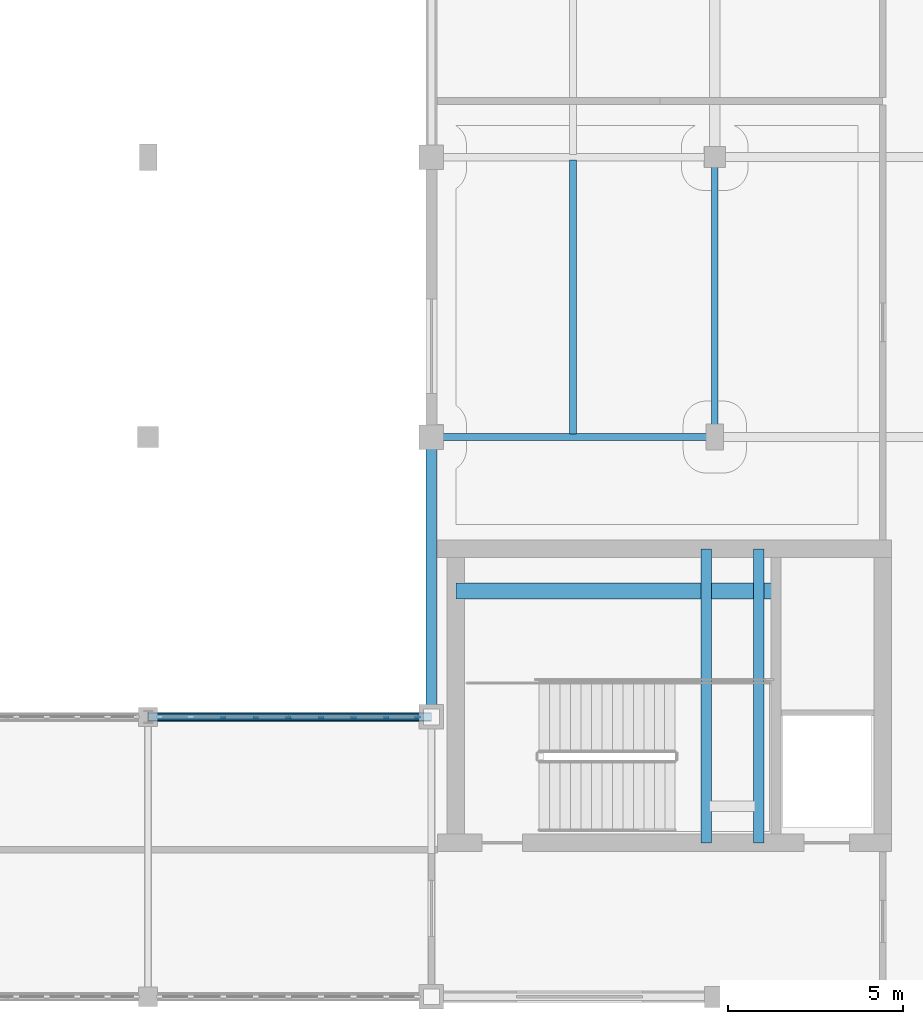
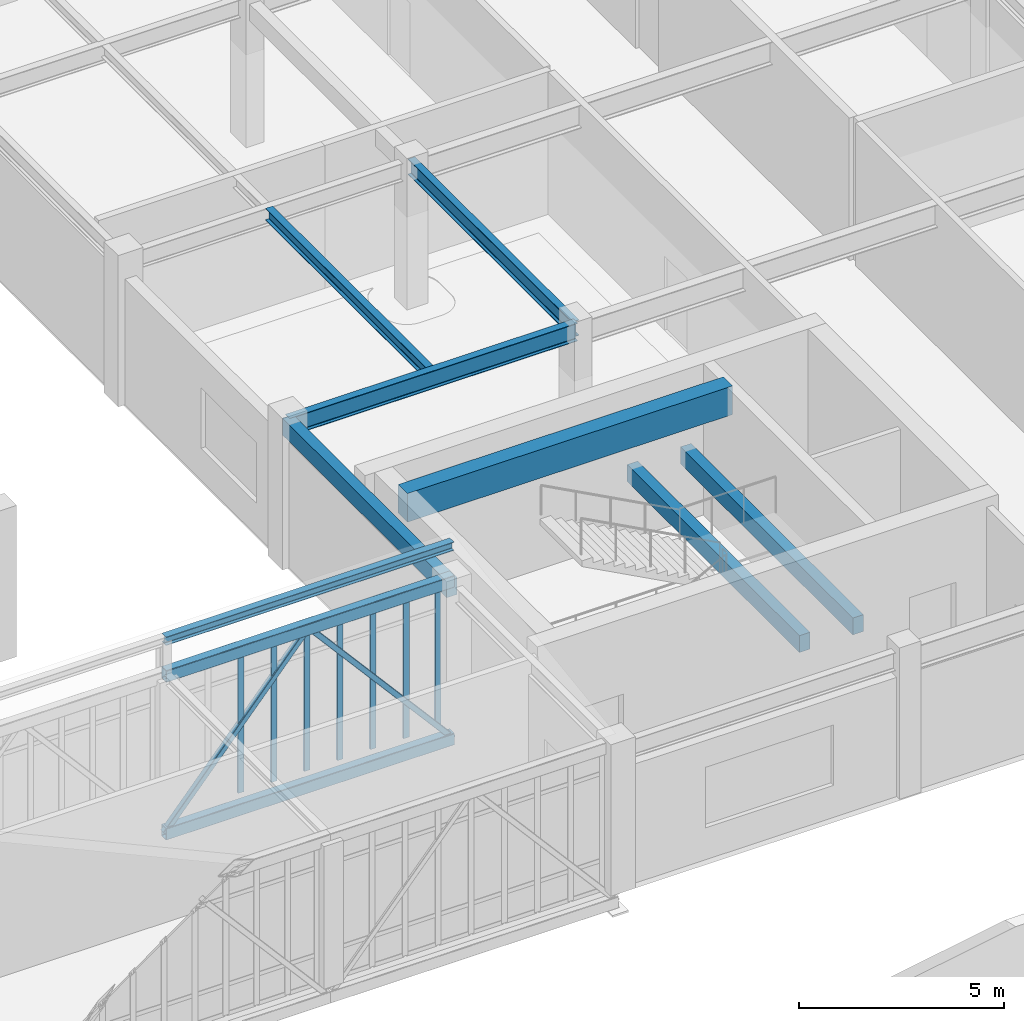
# One storey, part 16 of 67: 11 members, 8 beams, 1 element without a shape of its own.
"""IFC4 building model written with IfcOpenShell, lengths in metres."""

from ifc_helpers import new_model, si_unit, direction, frame, origin, origin_2d, place, context, subcontext, project, spatial, rectangle, hollow_rectangle, i_section, extrude, material, material_profile, profile_set, type_object, element, aggregate, save


model = new_model("IFC4")

# Units and contexts
model_context = context("Model", 3, precision=1e-05, world=origin(), true_north=direction((0.0, 1.0)))
body_context = subcontext(model_context, "Body", "Model", "MODEL_VIEW")
ifc_project = project(units=[si_unit("LENGTHUNIT", "METRE"), si_unit("AREAUNIT", "SQUARE_METRE"), si_unit("VOLUMEUNIT", "CUBIC_METRE"), si_unit("PLANEANGLEUNIT", "RADIAN"), si_unit("MASSUNIT", "GRAM", prefix="KILO")], contexts=[model_context])

# Site, building, storey
site_placement = place(None, origin())
site = spatial("IfcSite", under=ifc_project, at=site_placement, CompositionType="ELEMENT")
building_placement = place(site_placement, origin())
building = spatial("IfcBuilding", under=site, at=building_placement, Name="Tarnveldt Square Police Headquarters", CompositionType="ELEMENT")
storey_placement = place(building_placement, frame((0.0, 0.0, 10.199951171875)))
storey = spatial("IfcBuildingStorey", under=building, at=storey_placement, Name="L02", CompositionType="ELEMENT", Elevation=10.199951171875)

# Beams
ifc_material_1 = material(Name="Concrete 50 MPa", Category="concrete")
ifc_material_profile_1 = material_profile(ifc_material_1, rectangle(XDim=0.449951171875, YDim=0.85009765625, at=origin_2d()), Name="RC-CB450x850")
ifc_profile_set_1 = profile_set([ifc_material_profile_1], Name="Concrete 50 MPa")
beam_type_1 = type_object("IfcBeamType", Name="BM-CB450x850", PredefinedType="BEAM", material=ifc_profile_set_1)
beam_1_placement = place(storey_placement, frame((106.0, 67.60009765625, 4.074951171875), z_axis=(1.0, 0.0, 0.0), x_axis=(0.0, 1.0, 0.0)))
element("IfcBeam", 1, at=beam_1_placement, inside=storey, type_object=beam_type_1, Name="Core K4 East Custody and Tactical Core L02 Ductile Coupling Beam", PredefinedType="BEAM", context=body_context, shape_type="SweptSolid", body=[
    extrude(rectangle(XDim=0.449951171875, YDim=0.85009765625, at=origin_2d()), origin(), (0.0, 0.0, 1.0), 9.14990234375),
])
ifc_material_2 = material(Name="Concrete 40 MPa", Category="concrete")
ifc_material_profile_2 = material_profile(ifc_material_2, rectangle(XDim=0.300048828125, YDim=0.5, at=origin_2d()), Name="RC-B300x500")
ifc_profile_set_2 = profile_set([ifc_material_profile_2], Name="Concrete 40 MPa")
beam_type_2 = type_object("IfcBeamType", Name="BM-RC300x500", PredefinedType="BEAM", material=ifc_profile_set_2)
for number, where, z_axis, x_axis, name in (
    (2, (113.14990234375, 60.39990234375, 1.800048828125), (0.0, 1.0, 0.0), (-1.0, 0.0, 0.0), "ST4 L02 Half-Landing Support Beam 1"),
    (3, (114.64990234375, 60.39990234375, 1.800048828125), (0.0, 1.0, 0.0), (-1.0, 0.0, 0.0), "ST4 L02 Half-Landing Transverse Support Beam"),
):
    element("IfcBeam", number, at=place(storey_placement, frame(where, z_axis=z_axis, x_axis=x_axis)), inside=storey, type_object=beam_type_2, Name=name, PredefinedType="BEAM", context=body_context, shape_type="SweptSolid", body=[
        extrude(rectangle(XDim=0.300048828125, YDim=0.5, at=origin_2d()), origin(), (0.0, 0.0, 1.0), 8.400146484375),
    ])
beam_2_placement = place(storey_placement, frame((105.300048828125, 64.0, 3.989990234375), z_axis=(0.0, 1.0, 0.0), x_axis=(-1.0, 0.0, 0.0)))
element("IfcBeam", 4, at=beam_2_placement, inside=storey, type_object=beam_type_2, Name="L03 Grid Girder Y-0793", PredefinedType="BEAM", context=body_context, shape_type="SweptSolid", body=[
    extrude(rectangle(XDim=0.300048828125, YDim=0.5, at=origin_2d()), origin(), (0.0, 0.0, 1.0), 8.0),
])
ifc_material_3 = material(Name="Steel 350W", Category="steel")
ifc_material_profile_3 = material_profile(ifc_material_3, i_section(OverallWidth=0.202880859375, OverallDepth=0.251953125, WebThickness=0.008056640625, FlangeThickness=0.013427734375, FilletRadius=0.012939453125, at=origin_2d()), Name="W250x58")
ifc_profile_set_3 = profile_set([ifc_material_profile_3], Name="Steel 350W")
beam_type_3 = type_object("IfcBeamType", Name="BM-W250x58", PredefinedType="BEAM", material=ifc_profile_set_3)
beam_3_placement = place(storey_placement, frame((97.199951171875, 64.0, 5.2900390625), z_axis=(1.0, 0.0, 0.0), x_axis=(0.0, 1.0, 0.0)))
element("IfcBeam", 5, at=beam_3_placement, inside=storey, type_object=beam_type_3, Name="Skybridge SBS High Eave Beam 7", PredefinedType="BEAM", context=body_context, shape_type="SweptSolid", body=[
    extrude(i_section(OverallWidth=0.202880859375, OverallDepth=0.251953125, WebThickness=0.008056640625, FlangeThickness=0.013427734375, FilletRadius=0.012939453125, at=origin_2d()), origin(), (0.0, 0.0, 1.0), 8.10009765625),
])
ifc_material_profile_4 = material_profile(ifc_material_3, i_section(OverallWidth=0.205078125, OverallDepth=0.35400390625, WebThickness=0.009521484375, FlangeThickness=0.016845703125, FilletRadius=0.01611328125, at=origin_2d()), Name="W360x79")
ifc_profile_set_4 = profile_set([ifc_material_profile_4], Name="Steel 350W")
beam_type_4 = type_object("IfcBeamType", Name="BM-W360x79", PredefinedType="JOIST", material=ifc_profile_set_4)
beam_4_placement = place(storey_placement, frame((109.35009765625, 72.080078125, 4.06298828125), z_axis=(0.0, 1.0, 0.0), x_axis=(-1.0, 0.0, 0.0)))
element("IfcBeam", 6, at=beam_4_placement, inside=storey, type_object=beam_type_4, Name="L03 Secondary Floor Joist 0158", PredefinedType="JOIST", context=body_context, shape_type="SweptSolid", body=[
    extrude(i_section(OverallWidth=0.205078125, OverallDepth=0.35400390625, WebThickness=0.009521484375, FlangeThickness=0.016845703125, FilletRadius=0.01611328125, at=origin_2d()), origin(), (0.0, 0.0, 1.0), 7.83984375),
])
ifc_material_profile_5 = material_profile(ifc_material_3, i_section(OverallWidth=0.19189453125, OverallDepth=0.462890625, WebThickness=0.010498046875, FlangeThickness=0.017578125, FilletRadius=0.01806640625, at=origin_2d()), Name="W460x89")
ifc_profile_set_5 = profile_set([ifc_material_profile_5], Name="Steel 350W")
beam_type_5 = type_object("IfcBeamType", Name="BM-W460x89", PredefinedType="BEAM", material=ifc_profile_set_5)
beam_5_placement = place(storey_placement, frame((113.39990234375, 72.0, 4.008544921875), z_axis=(0.0, 1.0, 0.0), x_axis=(-1.0, 0.0, 0.0)))
element("IfcBeam", 7, at=beam_5_placement, inside=storey, type_object=beam_type_5, Name="L03 Grid Girder Y-0798", PredefinedType="BEAM", context=body_context, shape_type="SweptSolid", body=[
    extrude(i_section(OverallWidth=0.19189453125, OverallDepth=0.462890625, WebThickness=0.010498046875, FlangeThickness=0.017578125, FilletRadius=0.01806640625, at=origin_2d()), origin(), (0.0, 0.0, 1.0), 8.0),
])
ifc_material_profile_6 = material_profile(ifc_material_3, i_section(OverallWidth=0.208984375, OverallDepth=0.532958984375, WebThickness=0.01025390625, FlangeThickness=0.015625, FilletRadius=0.01904296875, at=origin_2d()), Name="W530x92")
ifc_profile_set_6 = profile_set([ifc_material_profile_6], Name="Steel 350W")
beam_type_6 = type_object("IfcBeamType", Name="BM-W530x92", PredefinedType="BEAM", material=ifc_profile_set_6)
beam_6_placement = place(storey_placement, frame((105.300048828125, 72.0, 3.9736328125), z_axis=(1.0, 0.0, 0.0), x_axis=(0.0, 1.0, 0.0)))
element("IfcBeam", 8, at=beam_6_placement, inside=storey, type_object=beam_type_6, Name="L03 Grid Girder X-0695", PredefinedType="BEAM", context=body_context, shape_type="SweptSolid", body=[
    extrude(i_section(OverallWidth=0.208984375, OverallDepth=0.532958984375, WebThickness=0.01025390625, FlangeThickness=0.015625, FilletRadius=0.01904296875, at=origin_2d()), origin(), (0.0, 0.0, 1.0), 8.099853515625),
])

# Curtain wall, members
ifc_material_4 = material(Name="Triple-glazed low-e laminated vision glass", Category="glass")
curtain_wall_type = type_object("IfcCurtainWallType", Name="CW-SB-745x424", PredefinedType="USERDEFINED", material=ifc_material_4)
curtain_wall_placement = place(storey_placement, origin())
curtain_wall = element("IfcCurtainWall", 9, at=curtain_wall_placement, inside=storey, type_object=curtain_wall_type, Name="L02 Curtain Wall CW-L02-151", ObjectType="GLAZED CURTAIN WALL", PredefinedType="USERDEFINED")
ifc_material_5 = material(Name="Thermally broken anodised aluminium 6063-T6", Category="aluminium")
ifc_material_profile_7 = material_profile(ifc_material_5, rectangle(XDim=0.06494140625, YDim=0.159912109375, at=origin_2d()), Name="CW-M65x160")
ifc_profile_set_7 = profile_set([ifc_material_profile_7], Name="Thermally broken anodised aluminium 6063-T6")
member_type_1 = type_object("IfcMemberType", Name="CWM-65x160", PredefinedType="MULLION", material=ifc_profile_set_7)
member_1_placement = place(storey_placement, frame((99.351318359375, 64.0, 0.0), z_axis=(0.0, 0.0, 1.0), x_axis=(0.0, 1.0, 0.0)))
member_1 = element("IfcMember", 10, at=member_1_placement, type_object=member_type_1, Name="CW-SB88 mullion 3", PredefinedType="MULLION", context=body_context, shape_type="SweptSolid", body=[
    extrude(rectangle(XDim=0.06494140625, YDim=0.159912109375, at=origin_2d()), origin(), (0.0, 0.0, 1.0), 4.239990234375),
])
member_2_placement = place(storey_placement, frame((100.281982421875, 64.0, 0.0), z_axis=(0.0, 0.0, 1.0), x_axis=(0.0, 1.0, 0.0)))
member_2 = element("IfcMember", 11, at=member_2_placement, type_object=member_type_1, Name="CW-SB88 mullion 4", PredefinedType="MULLION", context=body_context, shape_type="SweptSolid", body=[
    extrude(rectangle(XDim=0.06494140625, YDim=0.159912109375, at=origin_2d()), origin(), (0.0, 0.0, 1.0), 4.239990234375),
])
member_3_placement = place(storey_placement, frame((101.21240234375, 64.0, 0.0), z_axis=(0.0, 0.0, 1.0), x_axis=(0.0, 1.0, 0.0)))
member_3 = element("IfcMember", 12, at=member_3_placement, type_object=member_type_1, Name="CW-SB88 mullion 5", PredefinedType="MULLION", context=body_context, shape_type="SweptSolid", body=[
    extrude(rectangle(XDim=0.06494140625, YDim=0.159912109375, at=origin_2d()), origin(), (0.0, 0.0, 1.0), 4.239990234375),
])
member_4_placement = place(storey_placement, frame((102.14306640625, 64.0, 0.0), z_axis=(0.0, 0.0, 1.0), x_axis=(0.0, 1.0, 0.0)))
member_4 = element("IfcMember", 13, at=member_4_placement, type_object=member_type_1, Name="CW-SB88 mullion 6", PredefinedType="MULLION", context=body_context, shape_type="SweptSolid", body=[
    extrude(rectangle(XDim=0.06494140625, YDim=0.159912109375, at=origin_2d()), origin(), (0.0, 0.0, 1.0), 4.239990234375),
])
member_5_placement = place(storey_placement, frame((103.07373046875, 64.0, 0.0), z_axis=(0.0, 0.0, 1.0), x_axis=(0.0, 1.0, 0.0)))
member_5 = element("IfcMember", 14, at=member_5_placement, type_object=member_type_1, Name="CW-SB88 mullion 7", PredefinedType="MULLION", context=body_context, shape_type="SweptSolid", body=[
    extrude(rectangle(XDim=0.06494140625, YDim=0.159912109375, at=origin_2d()), origin(), (0.0, 0.0, 1.0), 4.239990234375),
])
member_6_placement = place(storey_placement, frame((104.00439453125, 64.0, 0.0), z_axis=(0.0, 0.0, 1.0), x_axis=(0.0, 1.0, 0.0)))
member_6 = element("IfcMember", 15, at=member_6_placement, type_object=member_type_1, Name="CW-SB88 mullion 8", PredefinedType="MULLION", context=body_context, shape_type="SweptSolid", body=[
    extrude(rectangle(XDim=0.06494140625, YDim=0.159912109375, at=origin_2d()), origin(), (0.0, 0.0, 1.0), 4.239990234375),
])
member_7_placement = place(storey_placement, frame((104.902587890625, 64.0, 0.0), z_axis=(0.0, 0.0, 1.0), x_axis=(0.0, 1.0, 0.0)))
member_7 = element("IfcMember", 16, at=member_7_placement, type_object=member_type_1, Name="CW-SB88 mullion 9", PredefinedType="MULLION", context=body_context, shape_type="SweptSolid", body=[
    extrude(rectangle(XDim=0.06494140625, YDim=0.159912109375, at=origin_2d()), origin(), (0.0, 0.0, 1.0), 4.239990234375),
])
aggregate(curtain_wall, [member_1, member_2, member_3, member_4, member_5, member_6, member_7])

# Members
ifc_material_profile_8 = material_profile(ifc_material_3, hollow_rectangle(XDim=0.25390625, YDim=0.355712890625, WallThickness=0.015869140625, InnerFilletRadius=0.015869140625, OuterFilletRadius=0.03173828125, at=origin_2d()), Name="HSS356x254x16")
ifc_profile_set_8 = profile_set([ifc_material_profile_8], Name="Steel 350W")
member_type_2 = type_object("IfcMemberType", Name="MEM-SB-CHORD", PredefinedType="CHORD", material=ifc_profile_set_8)
for number, where, z_axis, x_axis, name in (
    (17, (97.199951171875, 64.0, -0.43994140625), (1.0, 0.0, 0.0), (0.0, 1.0, 0.0), "Skybridge SBS Bottom Chord N7"),
    (18, (97.199951171875, 64.0, 4.25), (1.0, 0.0, 0.0), (0.0, 1.0, 0.0), "Skybridge SBS Top Chord N7"),
):
    element("IfcMember", number, at=place(storey_placement, frame(where, z_axis=z_axis, x_axis=x_axis)), inside=storey, type_object=member_type_2, Name=name, PredefinedType="CHORD", context=body_context, shape_type="SweptSolid", body=[
        extrude(hollow_rectangle(XDim=0.25390625, YDim=0.355712890625, WallThickness=0.015869140625, InnerFilletRadius=0.015869140625, OuterFilletRadius=0.03173828125, at=origin_2d()), origin(), (0.0, 0.0, 1.0), 8.10009765625),
    ])
ifc_material_profile_9 = material_profile(ifc_material_3, hollow_rectangle(XDim=0.15234375, YDim=0.15234375, WallThickness=0.009521484375, InnerFilletRadius=0.009521484375, OuterFilletRadius=0.01904296875, at=origin_2d()), Name="HSS152x152x9.5")
ifc_profile_set_9 = profile_set([ifc_material_profile_9], Name="Steel 350W")
member_type_3 = type_object("IfcMemberType", Name="MEM-SB-WEB", PredefinedType="BRACE", material=ifc_profile_set_9)
for number, where, z_axis, x_axis, name in (
    (19, (97.199951171875, 64.0, -0.43994140625), (0.653587045151, 0.0, 0.756851355558), (0.0, 1.0, 0.0), "Skybridge SBS Web A7"),
    (20, (105.300048828125, 64.0, -0.43994140625), (-0.653587045151, 0.0, 0.756851355558), (0.0, -1.0, 0.0), "Skybridge SBS Web B7"),
):
    element("IfcMember", number, at=place(storey_placement, frame(where, z_axis=z_axis, x_axis=x_axis)), inside=storey, type_object=member_type_3, Name=name, PredefinedType="BRACE", context=body_context, shape_type="SweptSolid", body=[
        extrude(hollow_rectangle(XDim=0.15234375, YDim=0.15234375, WallThickness=0.009521484375, InnerFilletRadius=0.009521484375, OuterFilletRadius=0.01904296875, at=origin_2d()), origin(), (0.0, 0.0, 1.0), 6.196533203125),
    ])

save(model, "model.ifc")
